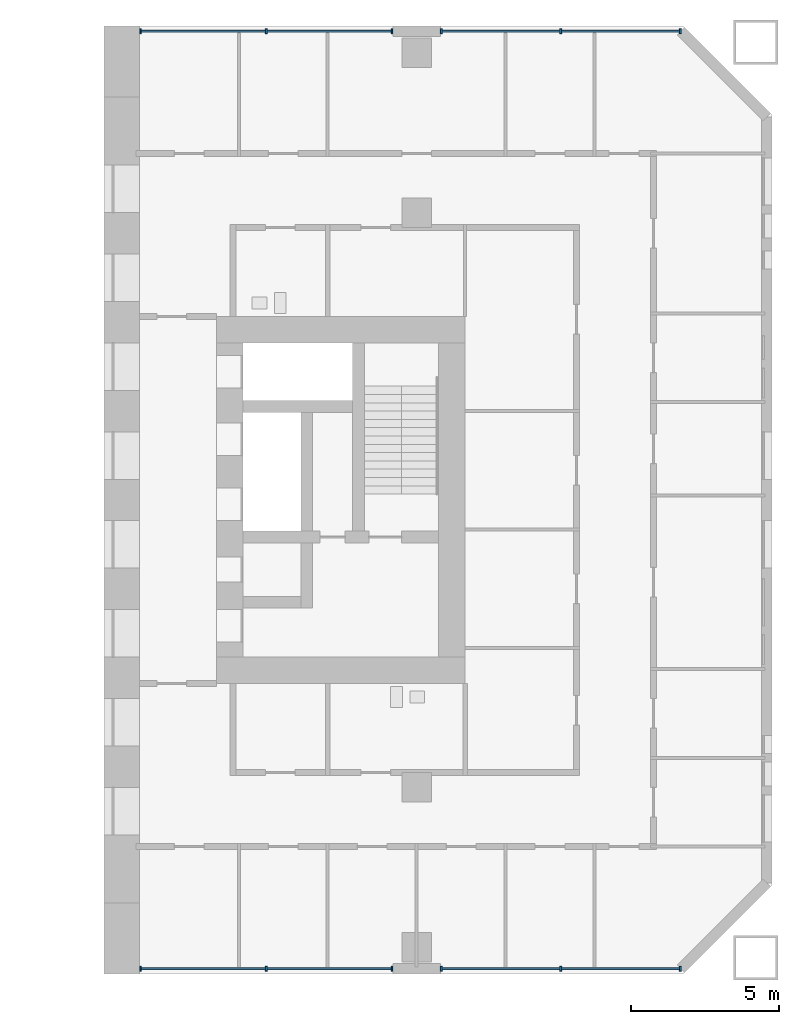
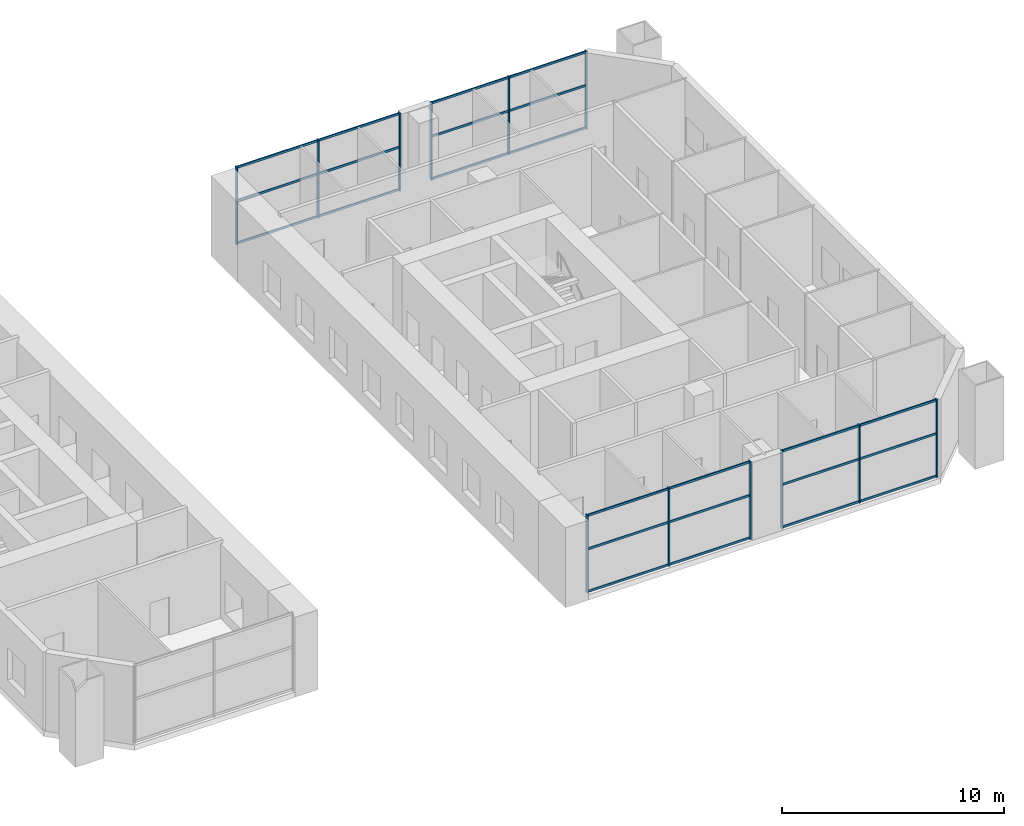
# One storey, part 6 of 19: 36 members, 4 elements without a shape of their own.
"""IFC4 building model written with IfcOpenShell, lengths in metres."""

from ifc_helpers import new_model, si_unit, direction, frame, origin, origin_2d, place, context, subcontext, project, spatial, rectangle, extrude, material, material_profile, profile_set, type_object, element, aggregate, save


model = new_model("IFC4")

# Units and contexts
model_context = context("Model", 3, precision=1e-05, world=origin(), true_north=direction((0.0, 1.0)))
body_context = subcontext(model_context, "Body", "Model", "MODEL_VIEW")
ifc_project = project(units=[si_unit("LENGTHUNIT", "METRE"), si_unit("AREAUNIT", "SQUARE_METRE"), si_unit("VOLUMEUNIT", "CUBIC_METRE"), si_unit("PLANEANGLEUNIT", "RADIAN"), si_unit("MASSUNIT", "GRAM", prefix="KILO")], contexts=[model_context])

# Site, building, storey
site_placement = place(None, origin())
site = spatial("IfcSite", under=ifc_project, at=site_placement, CompositionType="ELEMENT")
building_placement = place(site_placement, origin())
building = spatial("IfcBuilding", under=site, at=building_placement, Name="Tuart Gate Housing", CompositionType="ELEMENT")
storey_placement = place(building_placement, frame((0.0, 0.0, 10.10009765625)))
storey = spatial("IfcBuildingStorey", under=building, at=storey_placement, Name="L02", CompositionType="ELEMENT", Elevation=10.10009765625)

# Curtain wall, members
ifc_material_1 = material(Name="Aluminium and clear glass", Category="aluminium")
curtain_wall_type = type_object("IfcCurtainWallType", Name="Podium health glazing", PredefinedType="USERDEFINED", material=ifc_material_1)
curtain_wall_1_placement = place(storey_placement, origin())
curtain_wall_1 = element("IfcCurtainWall", 1, at=curtain_wall_1_placement, inside=storey, type_object=curtain_wall_type, Name="Podium health glazing B-S L02", ObjectType="PODIUM HEALTH GLAZING", PredefinedType="USERDEFINED")
ifc_material_2 = material(Name="Anodised aluminium", Category="aluminium")
ifc_material_profile_1 = material_profile(ifc_material_2, rectangle(XDim=0.06005859375, YDim=0.159912109375, at=origin_2d()), Name="60x160")
ifc_profile_set_1 = profile_set([ifc_material_profile_1], Name="Anodised aluminium")
member_type_1 = type_object("IfcMemberType", Name="Mullion 60 x 160", PredefinedType="MULLION", material=ifc_profile_set_1)
member_1_placement = place(storey_placement, frame((157.679931640625, 54.179931640625, 0.0), z_axis=(0.0, 0.0, 1.0), x_axis=(1.0, 0.0, 0.0)))
member_1 = element("IfcMember", 2, at=member_1_placement, type_object=member_type_1, Name="CW1 mullion 1", PredefinedType="MULLION", context=body_context, shape_type="SweptSolid", body=[
    extrude(rectangle(XDim=0.06005859375, YDim=0.159912109375, at=origin_2d()), origin(), (0.0, 0.0, 1.0), 4.2998046875),
])
member_2_placement = place(storey_placement, frame((161.925048828125, 54.179931640625, 0.0), z_axis=(0.0, 0.0, 1.0), x_axis=(1.0, 0.0, 0.0)))
member_2 = element("IfcMember", 3, at=member_2_placement, type_object=member_type_1, Name="CW1 mullion 2", PredefinedType="MULLION", context=body_context, shape_type="SweptSolid", body=[
    extrude(rectangle(XDim=0.06005859375, YDim=0.159912109375, at=origin_2d()), origin(), (0.0, 0.0, 1.0), 4.2998046875),
])
member_3_placement = place(storey_placement, frame((166.169921875, 54.179931640625, 0.0), z_axis=(0.0, 0.0, 1.0), x_axis=(1.0, 0.0, 0.0)))
member_3 = element("IfcMember", 4, at=member_3_placement, type_object=member_type_1, Name="CW1 mullion 3", PredefinedType="MULLION", context=body_context, shape_type="SweptSolid", body=[
    extrude(rectangle(XDim=0.06005859375, YDim=0.159912109375, at=origin_2d()), origin(), (0.0, 0.0, 1.0), 4.2998046875),
])

curtain_wall_2_placement = place(storey_placement, origin())
curtain_wall_2 = element("IfcCurtainWall", 5, at=curtain_wall_2_placement, inside=storey, type_object=curtain_wall_type, Name="Podium health glazing B-S L02", ObjectType="PODIUM HEALTH GLAZING", PredefinedType="USERDEFINED")
member_4_placement = place(storey_placement, frame((167.830078125, 54.179931640625, 0.0), z_axis=(0.0, 0.0, 1.0), x_axis=(1.0, 0.0, 0.0)))
member_4 = element("IfcMember", 6, at=member_4_placement, type_object=member_type_1, Name="CW1 mullion 1", PredefinedType="MULLION", context=body_context, shape_type="SweptSolid", body=[
    extrude(rectangle(XDim=0.06005859375, YDim=0.159912109375, at=origin_2d()), origin(), (0.0, 0.0, 1.0), 4.2998046875),
])
member_5_placement = place(storey_placement, frame((171.86279296875, 54.179931640625, 0.0), z_axis=(0.0, 0.0, 1.0), x_axis=(1.0, 0.0, 0.0)))
member_5 = element("IfcMember", 7, at=member_5_placement, type_object=member_type_1, Name="CW1 mullion 2", PredefinedType="MULLION", context=body_context, shape_type="SweptSolid", body=[
    extrude(rectangle(XDim=0.06005859375, YDim=0.159912109375, at=origin_2d()), origin(), (0.0, 0.0, 1.0), 4.2998046875),
])
member_6_placement = place(storey_placement, frame((175.8955078125, 54.179931640625, 0.0), z_axis=(0.0, 0.0, 1.0), x_axis=(1.0, 0.0, 0.0)))
member_6 = element("IfcMember", 8, at=member_6_placement, type_object=member_type_1, Name="CW1 mullion 3", PredefinedType="MULLION", context=body_context, shape_type="SweptSolid", body=[
    extrude(rectangle(XDim=0.06005859375, YDim=0.159912109375, at=origin_2d()), origin(), (0.0, 0.0, 1.0), 4.2998046875),
])

curtain_wall_3_placement = place(storey_placement, origin())
curtain_wall_3 = element("IfcCurtainWall", 9, at=curtain_wall_3_placement, inside=storey, type_object=curtain_wall_type, Name="Podium health glazing B-N L02", ObjectType="PODIUM HEALTH GLAZING", PredefinedType="USERDEFINED")
member_7_placement = place(storey_placement, frame((175.8955078125, 85.820068359375, 0.0), z_axis=(0.0, 0.0, 1.0), x_axis=(-1.0, 0.0, 0.0)))
member_7 = element("IfcMember", 10, at=member_7_placement, type_object=member_type_1, Name="CW1 mullion 1", PredefinedType="MULLION", context=body_context, shape_type="SweptSolid", body=[
    extrude(rectangle(XDim=0.06005859375, YDim=0.159912109375, at=origin_2d()), origin(), (0.0, 0.0, 1.0), 4.2998046875),
])
member_8_placement = place(storey_placement, frame((171.86279296875, 85.820068359375, 0.0), z_axis=(0.0, 0.0, 1.0), x_axis=(-1.0, 0.0, 0.0)))
member_8 = element("IfcMember", 11, at=member_8_placement, type_object=member_type_1, Name="CW1 mullion 2", PredefinedType="MULLION", context=body_context, shape_type="SweptSolid", body=[
    extrude(rectangle(XDim=0.06005859375, YDim=0.159912109375, at=origin_2d()), origin(), (0.0, 0.0, 1.0), 4.2998046875),
])
member_9_placement = place(storey_placement, frame((167.830078125, 85.820068359375, 0.0), z_axis=(0.0, 0.0, 1.0), x_axis=(-1.0, 0.0, 0.0)))
member_9 = element("IfcMember", 12, at=member_9_placement, type_object=member_type_1, Name="CW1 mullion 3", PredefinedType="MULLION", context=body_context, shape_type="SweptSolid", body=[
    extrude(rectangle(XDim=0.06005859375, YDim=0.159912109375, at=origin_2d()), origin(), (0.0, 0.0, 1.0), 4.2998046875),
])

curtain_wall_4_placement = place(storey_placement, origin())
curtain_wall_4 = element("IfcCurtainWall", 13, at=curtain_wall_4_placement, inside=storey, type_object=curtain_wall_type, Name="Podium health glazing B-N L02", ObjectType="PODIUM HEALTH GLAZING", PredefinedType="USERDEFINED")
member_10_placement = place(storey_placement, frame((166.169921875, 85.820068359375, 0.0), z_axis=(0.0, 0.0, 1.0), x_axis=(-1.0, 0.0, 0.0)))
member_10 = element("IfcMember", 14, at=member_10_placement, type_object=member_type_1, Name="CW1 mullion 1", PredefinedType="MULLION", context=body_context, shape_type="SweptSolid", body=[
    extrude(rectangle(XDim=0.06005859375, YDim=0.159912109375, at=origin_2d()), origin(), (0.0, 0.0, 1.0), 4.2998046875),
])
member_11_placement = place(storey_placement, frame((161.925048828125, 85.820068359375, 0.0), z_axis=(0.0, 0.0, 1.0), x_axis=(-1.0, 0.0, 0.0)))
member_11 = element("IfcMember", 15, at=member_11_placement, type_object=member_type_1, Name="CW1 mullion 2", PredefinedType="MULLION", context=body_context, shape_type="SweptSolid", body=[
    extrude(rectangle(XDim=0.06005859375, YDim=0.159912109375, at=origin_2d()), origin(), (0.0, 0.0, 1.0), 4.2998046875),
])
member_12_placement = place(storey_placement, frame((157.679931640625, 85.820068359375, 0.0), z_axis=(0.0, 0.0, 1.0), x_axis=(-1.0, 0.0, 0.0)))
member_12 = element("IfcMember", 16, at=member_12_placement, type_object=member_type_1, Name="CW1 mullion 3", PredefinedType="MULLION", context=body_context, shape_type="SweptSolid", body=[
    extrude(rectangle(XDim=0.06005859375, YDim=0.159912109375, at=origin_2d()), origin(), (0.0, 0.0, 1.0), 4.2998046875),
])

# Member
ifc_material_3 = material(Name="Anodised aluminium", Category="aluminium")
ifc_material_profile_2 = material_profile(ifc_material_3, rectangle(XDim=0.06005859375, YDim=0.1201171875, at=origin_2d()), Name="60x120")
ifc_profile_set_2 = profile_set([ifc_material_profile_2], Name="Anodised aluminium")
member_type_2 = type_object("IfcMemberType", Name="Transom 60 x 120", PredefinedType="USERDEFINED", material=ifc_profile_set_2)
member_13_placement = place(storey_placement, frame((157.7099609375, 54.179931640625, 0.059814453125), z_axis=(1.0, 0.0, 0.0), x_axis=(0.0, 1.0, 0.0)))
member_13 = element("IfcMember", 17, at=member_13_placement, type_object=member_type_2, Name="CW1 transom 1.1", ObjectType="TRANSOM", PredefinedType="USERDEFINED", context=body_context, shape_type="SweptSolid", body=[
    extrude(rectangle(XDim=0.06005859375, YDim=0.1201171875, at=origin_2d()), origin(), (0.0, 0.0, 1.0), 4.18505859375),
])

member_14_placement = place(storey_placement, frame((157.7099609375, 54.179931640625, 2.39990234375), z_axis=(1.0, 0.0, 0.0), x_axis=(0.0, 1.0, 0.0)))
member_14 = element("IfcMember", 18, at=member_14_placement, type_object=member_type_2, Name="CW1 transom 1.2", ObjectType="TRANSOM", PredefinedType="USERDEFINED", context=body_context, shape_type="SweptSolid", body=[
    extrude(rectangle(XDim=0.06005859375, YDim=0.1201171875, at=origin_2d()), origin(), (0.0, 0.0, 1.0), 4.18505859375),
])

member_15_placement = place(storey_placement, frame((157.7099609375, 54.179931640625, 4.239990234375), z_axis=(1.0, 0.0, 0.0), x_axis=(0.0, 1.0, 0.0)))
member_15 = element("IfcMember", 19, at=member_15_placement, type_object=member_type_2, Name="CW1 transom 1.3", ObjectType="TRANSOM", PredefinedType="USERDEFINED", context=body_context, shape_type="SweptSolid", body=[
    extrude(rectangle(XDim=0.06005859375, YDim=0.1201171875, at=origin_2d()), origin(), (0.0, 0.0, 1.0), 4.18505859375),
])

member_16_placement = place(storey_placement, frame((161.955078125, 54.179931640625, 0.059814453125), z_axis=(1.0, 0.0, 0.0), x_axis=(0.0, 1.0, 0.0)))
member_16 = element("IfcMember", 20, at=member_16_placement, type_object=member_type_2, Name="CW1 transom 2.1", ObjectType="TRANSOM", PredefinedType="USERDEFINED", context=body_context, shape_type="SweptSolid", body=[
    extrude(rectangle(XDim=0.06005859375, YDim=0.1201171875, at=origin_2d()), origin(), (0.0, 0.0, 1.0), 4.184814453125),
])

member_17_placement = place(storey_placement, frame((161.955078125, 54.179931640625, 2.39990234375), z_axis=(1.0, 0.0, 0.0), x_axis=(0.0, 1.0, 0.0)))
member_17 = element("IfcMember", 21, at=member_17_placement, type_object=member_type_2, Name="CW1 transom 2.2", ObjectType="TRANSOM", PredefinedType="USERDEFINED", context=body_context, shape_type="SweptSolid", body=[
    extrude(rectangle(XDim=0.06005859375, YDim=0.1201171875, at=origin_2d()), origin(), (0.0, 0.0, 1.0), 4.184814453125),
])

member_18_placement = place(storey_placement, frame((161.955078125, 54.179931640625, 4.239990234375), z_axis=(1.0, 0.0, 0.0), x_axis=(0.0, 1.0, 0.0)))
member_18 = element("IfcMember", 22, at=member_18_placement, type_object=member_type_2, Name="CW1 transom 2.3", ObjectType="TRANSOM", PredefinedType="USERDEFINED", context=body_context, shape_type="SweptSolid", body=[
    extrude(rectangle(XDim=0.06005859375, YDim=0.1201171875, at=origin_2d()), origin(), (0.0, 0.0, 1.0), 4.184814453125),
])

aggregate(curtain_wall_1, [member_1, member_2, member_3, member_13, member_14, member_15, member_16, member_17, member_18])

member_19_placement = place(storey_placement, frame((167.860107421875, 54.179931640625, 0.059814453125), z_axis=(1.0, 0.0, 0.0), x_axis=(0.0, 1.0, 0.0)))
member_19 = element("IfcMember", 23, at=member_19_placement, type_object=member_type_2, Name="CW1 transom 1.1", ObjectType="TRANSOM", PredefinedType="USERDEFINED", context=body_context, shape_type="SweptSolid", body=[
    extrude(rectangle(XDim=0.06005859375, YDim=0.1201171875, at=origin_2d()), origin(), (0.0, 0.0, 1.0), 3.97265625),
])

member_20_placement = place(storey_placement, frame((167.860107421875, 54.179931640625, 2.39990234375), z_axis=(1.0, 0.0, 0.0), x_axis=(0.0, 1.0, 0.0)))
member_20 = element("IfcMember", 24, at=member_20_placement, type_object=member_type_2, Name="CW1 transom 1.2", ObjectType="TRANSOM", PredefinedType="USERDEFINED", context=body_context, shape_type="SweptSolid", body=[
    extrude(rectangle(XDim=0.06005859375, YDim=0.1201171875, at=origin_2d()), origin(), (0.0, 0.0, 1.0), 3.97265625),
])

member_21_placement = place(storey_placement, frame((167.860107421875, 54.179931640625, 4.239990234375), z_axis=(1.0, 0.0, 0.0), x_axis=(0.0, 1.0, 0.0)))
member_21 = element("IfcMember", 25, at=member_21_placement, type_object=member_type_2, Name="CW1 transom 1.3", ObjectType="TRANSOM", PredefinedType="USERDEFINED", context=body_context, shape_type="SweptSolid", body=[
    extrude(rectangle(XDim=0.06005859375, YDim=0.1201171875, at=origin_2d()), origin(), (0.0, 0.0, 1.0), 3.97265625),
])

member_22_placement = place(storey_placement, frame((171.892822265625, 54.179931640625, 0.059814453125), z_axis=(1.0, 0.0, 0.0), x_axis=(0.0, 1.0, 0.0)))
member_22 = element("IfcMember", 26, at=member_22_placement, type_object=member_type_2, Name="CW1 transom 2.1", ObjectType="TRANSOM", PredefinedType="USERDEFINED", context=body_context, shape_type="SweptSolid", body=[
    extrude(rectangle(XDim=0.06005859375, YDim=0.1201171875, at=origin_2d()), origin(), (0.0, 0.0, 1.0), 3.97265625),
])

member_23_placement = place(storey_placement, frame((171.892822265625, 54.179931640625, 2.39990234375), z_axis=(1.0, 0.0, 0.0), x_axis=(0.0, 1.0, 0.0)))
member_23 = element("IfcMember", 27, at=member_23_placement, type_object=member_type_2, Name="CW1 transom 2.2", ObjectType="TRANSOM", PredefinedType="USERDEFINED", context=body_context, shape_type="SweptSolid", body=[
    extrude(rectangle(XDim=0.06005859375, YDim=0.1201171875, at=origin_2d()), origin(), (0.0, 0.0, 1.0), 3.97265625),
])

member_24_placement = place(storey_placement, frame((171.892822265625, 54.179931640625, 4.239990234375), z_axis=(1.0, 0.0, 0.0), x_axis=(0.0, 1.0, 0.0)))
member_24 = element("IfcMember", 28, at=member_24_placement, type_object=member_type_2, Name="CW1 transom 2.3", ObjectType="TRANSOM", PredefinedType="USERDEFINED", context=body_context, shape_type="SweptSolid", body=[
    extrude(rectangle(XDim=0.06005859375, YDim=0.1201171875, at=origin_2d()), origin(), (0.0, 0.0, 1.0), 3.97265625),
])

aggregate(curtain_wall_2, [member_4, member_5, member_6, member_19, member_20, member_21, member_22, member_23, member_24])

member_25_placement = place(storey_placement, frame((175.865478515625, 85.820068359375, 0.059814453125), z_axis=(-1.0, 0.0, 0.0), x_axis=(0.0, -1.0, 0.0)))
member_25 = element("IfcMember", 29, at=member_25_placement, type_object=member_type_2, Name="CW1 transom 1.1", ObjectType="TRANSOM", PredefinedType="USERDEFINED", context=body_context, shape_type="SweptSolid", body=[
    extrude(rectangle(XDim=0.06005859375, YDim=0.1201171875, at=origin_2d()), origin(), (0.0, 0.0, 1.0), 3.972900390625),
])

member_26_placement = place(storey_placement, frame((175.865478515625, 85.820068359375, 2.39990234375), z_axis=(-1.0, 0.0, 0.0), x_axis=(0.0, -1.0, 0.0)))
member_26 = element("IfcMember", 30, at=member_26_placement, type_object=member_type_2, Name="CW1 transom 1.2", ObjectType="TRANSOM", PredefinedType="USERDEFINED", context=body_context, shape_type="SweptSolid", body=[
    extrude(rectangle(XDim=0.06005859375, YDim=0.1201171875, at=origin_2d()), origin(), (0.0, 0.0, 1.0), 3.972900390625),
])

member_27_placement = place(storey_placement, frame((175.865478515625, 85.820068359375, 4.239990234375), z_axis=(-1.0, 0.0, 0.0), x_axis=(0.0, -1.0, 0.0)))
member_27 = element("IfcMember", 31, at=member_27_placement, type_object=member_type_2, Name="CW1 transom 1.3", ObjectType="TRANSOM", PredefinedType="USERDEFINED", context=body_context, shape_type="SweptSolid", body=[
    extrude(rectangle(XDim=0.06005859375, YDim=0.1201171875, at=origin_2d()), origin(), (0.0, 0.0, 1.0), 3.972900390625),
])

member_28_placement = place(storey_placement, frame((171.832763671875, 85.820068359375, 0.059814453125), z_axis=(-1.0, 0.0, 0.0), x_axis=(0.0, -1.0, 0.0)))
member_28 = element("IfcMember", 32, at=member_28_placement, type_object=member_type_2, Name="CW1 transom 2.1", ObjectType="TRANSOM", PredefinedType="USERDEFINED", context=body_context, shape_type="SweptSolid", body=[
    extrude(rectangle(XDim=0.06005859375, YDim=0.1201171875, at=origin_2d()), origin(), (0.0, 0.0, 1.0), 3.97265625),
])

member_29_placement = place(storey_placement, frame((171.832763671875, 85.820068359375, 2.39990234375), z_axis=(-1.0, 0.0, 0.0), x_axis=(0.0, -1.0, 0.0)))
member_29 = element("IfcMember", 33, at=member_29_placement, type_object=member_type_2, Name="CW1 transom 2.2", ObjectType="TRANSOM", PredefinedType="USERDEFINED", context=body_context, shape_type="SweptSolid", body=[
    extrude(rectangle(XDim=0.06005859375, YDim=0.1201171875, at=origin_2d()), origin(), (0.0, 0.0, 1.0), 3.97265625),
])

member_30_placement = place(storey_placement, frame((171.832763671875, 85.820068359375, 4.239990234375), z_axis=(-1.0, 0.0, 0.0), x_axis=(0.0, -1.0, 0.0)))
member_30 = element("IfcMember", 34, at=member_30_placement, type_object=member_type_2, Name="CW1 transom 2.3", ObjectType="TRANSOM", PredefinedType="USERDEFINED", context=body_context, shape_type="SweptSolid", body=[
    extrude(rectangle(XDim=0.06005859375, YDim=0.1201171875, at=origin_2d()), origin(), (0.0, 0.0, 1.0), 3.97265625),
])

aggregate(curtain_wall_3, [member_7, member_8, member_9, member_25, member_26, member_27, member_28, member_29, member_30])

member_31_placement = place(storey_placement, frame((166.139892578125, 85.820068359375, 0.059814453125), z_axis=(-1.0, 0.0, 0.0), x_axis=(0.0, -1.0, 0.0)))
member_31 = element("IfcMember", 35, at=member_31_placement, type_object=member_type_2, Name="CW1 transom 1.1", ObjectType="TRANSOM", PredefinedType="USERDEFINED", context=body_context, shape_type="SweptSolid", body=[
    extrude(rectangle(XDim=0.06005859375, YDim=0.1201171875, at=origin_2d()), origin(), (0.0, 0.0, 1.0), 4.184814453125),
])

member_32_placement = place(storey_placement, frame((166.139892578125, 85.820068359375, 2.39990234375), z_axis=(-1.0, 0.0, 0.0), x_axis=(0.0, -1.0, 0.0)))
member_32 = element("IfcMember", 36, at=member_32_placement, type_object=member_type_2, Name="CW1 transom 1.2", ObjectType="TRANSOM", PredefinedType="USERDEFINED", context=body_context, shape_type="SweptSolid", body=[
    extrude(rectangle(XDim=0.06005859375, YDim=0.1201171875, at=origin_2d()), origin(), (0.0, 0.0, 1.0), 4.184814453125),
])

member_33_placement = place(storey_placement, frame((166.139892578125, 85.820068359375, 4.239990234375), z_axis=(-1.0, 0.0, 0.0), x_axis=(0.0, -1.0, 0.0)))
member_33 = element("IfcMember", 37, at=member_33_placement, type_object=member_type_2, Name="CW1 transom 1.3", ObjectType="TRANSOM", PredefinedType="USERDEFINED", context=body_context, shape_type="SweptSolid", body=[
    extrude(rectangle(XDim=0.06005859375, YDim=0.1201171875, at=origin_2d()), origin(), (0.0, 0.0, 1.0), 4.184814453125),
])

member_34_placement = place(storey_placement, frame((161.89501953125, 85.820068359375, 0.059814453125), z_axis=(-1.0, 0.0, 0.0), x_axis=(0.0, -1.0, 0.0)))
member_34 = element("IfcMember", 38, at=member_34_placement, type_object=member_type_2, Name="CW1 transom 2.1", ObjectType="TRANSOM", PredefinedType="USERDEFINED", context=body_context, shape_type="SweptSolid", body=[
    extrude(rectangle(XDim=0.06005859375, YDim=0.1201171875, at=origin_2d()), origin(), (0.0, 0.0, 1.0), 4.18505859375),
])

member_35_placement = place(storey_placement, frame((161.89501953125, 85.820068359375, 2.39990234375), z_axis=(-1.0, 0.0, 0.0), x_axis=(0.0, -1.0, 0.0)))
member_35 = element("IfcMember", 39, at=member_35_placement, type_object=member_type_2, Name="CW1 transom 2.2", ObjectType="TRANSOM", PredefinedType="USERDEFINED", context=body_context, shape_type="SweptSolid", body=[
    extrude(rectangle(XDim=0.06005859375, YDim=0.1201171875, at=origin_2d()), origin(), (0.0, 0.0, 1.0), 4.18505859375),
])

member_36_placement = place(storey_placement, frame((161.89501953125, 85.820068359375, 4.239990234375), z_axis=(-1.0, 0.0, 0.0), x_axis=(0.0, -1.0, 0.0)))
member_36 = element("IfcMember", 40, at=member_36_placement, type_object=member_type_2, Name="CW1 transom 2.3", ObjectType="TRANSOM", PredefinedType="USERDEFINED", context=body_context, shape_type="SweptSolid", body=[
    extrude(rectangle(XDim=0.06005859375, YDim=0.1201171875, at=origin_2d()), origin(), (0.0, 0.0, 1.0), 4.18505859375),
])

aggregate(curtain_wall_4, [member_10, member_11, member_12, member_31, member_32, member_33, member_34, member_35, member_36])

save(model, "model.ifc")
